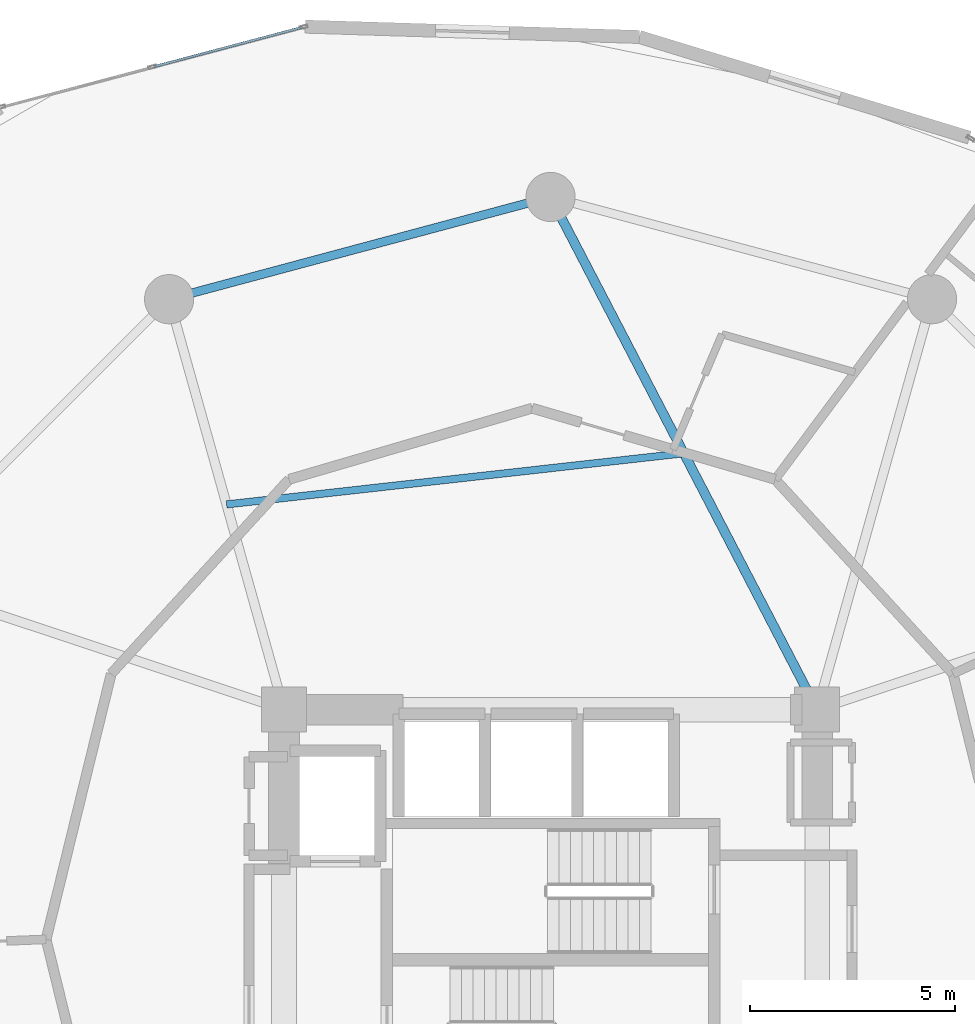
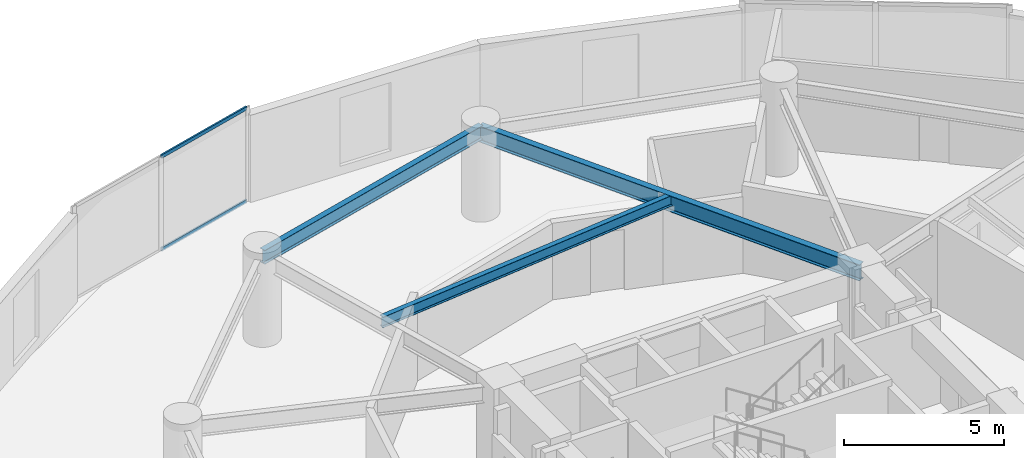
# One storey, part 14 of 24: 3 beams, 2 members, 1 element without a shape of its own.
"""IFC4 building model written with IfcOpenShell, lengths in metres."""

from ifc_helpers import new_model, si_unit, direction, frame, origin, origin_2d, place, context, subcontext, project, spatial, hollow_rectangle, i_section, extrude, source, transform, mapped, material, layer, layer_set, material_profile, profile_set, type_object, element, aggregate, save


model = new_model("IFC4")

# Units and contexts
model_context = context("Model", 3, precision=1e-05, world=origin(), true_north=direction((0.0, 1.0)))
body_context = subcontext(model_context, "Body", "Model", "MODEL_VIEW")
ifc_project = project(units=[si_unit("LENGTHUNIT", "METRE"), si_unit("AREAUNIT", "SQUARE_METRE"), si_unit("VOLUMEUNIT", "CUBIC_METRE"), si_unit("PLANEANGLEUNIT", "RADIAN"), si_unit("MASSUNIT", "GRAM", prefix="KILO")], contexts=[model_context])

# Site, building, storey
site_placement = place(None, origin())
site = spatial("IfcSite", under=ifc_project, at=site_placement, CompositionType="ELEMENT")
building_placement = place(site_placement, origin())
building = spatial("IfcBuilding", under=site, at=building_placement, Name="Solvirekh Grand Hotel", CompositionType="ELEMENT")
storey_placement = place(building_placement, frame((0.0, 0.0, 86.0)))
storey = spatial("IfcBuildingStorey", under=building, at=storey_placement, Name="L21", CompositionType="ELEMENT", Elevation=86.0)

# Beams
ifc_material_1 = material(Name="Steel S355", Category="steel")
ifc_material_profile_1 = material_profile(ifc_material_1, i_section(OverallWidth=0.22802734375, OverallDepth=0.616943359375, WebThickness=0.012939453125, FlangeThickness=0.02001953125, FilletRadius=0.014892578125, at=origin_2d()), Name="W610X140")
ifc_profile_set_1 = profile_set([ifc_material_profile_1], Name="Steel S355")
beam_type_1 = type_object("IfcBeamType", Name="Beam_Radial_W610", PredefinedType="BEAM", material=ifc_profile_set_1)
beam_1_placement = place(storey_placement, frame((6.5, 6.10009765625, 3.031982421875), z_axis=(-0.461352736642, 0.887216801235, 0.0), x_axis=(-0.887216801235, -0.461352736642, 0.0)))
element("IfcBeam", 1, at=beam_1_placement, inside=storey, type_object=beam_type_1, Name="L21 radial floor beam R04", PredefinedType="BEAM", context=body_context, shape_type="SweptSolid", body=[
    extrude(i_section(OverallWidth=0.22802734375, OverallDepth=0.616943359375, WebThickness=0.012939453125, FlangeThickness=0.02001953125, FilletRadius=0.014892578125, at=origin_2d()), origin(), (0.0, 0.0, 1.0), 14.089111328125),
])
ifc_material_profile_2 = material_profile(ifc_material_1, i_section(OverallWidth=0.177978515625, OverallDepth=0.406982421875, WebThickness=0.008056640625, FlangeThickness=0.011962890625, FilletRadius=0.011962890625, at=origin_2d()), Name="W410X60")
ifc_profile_set_2 = profile_set([ifc_material_profile_2], Name="Steel S355")
beam_type_2 = type_object("IfcBeamType", Name="Joist_Floor_W410", PredefinedType="JOIST", material=ifc_profile_set_2)
beam_2_placement = place(storey_placement, frame((3.25, 12.35009765625, 3.135986328125), z_axis=(-0.99381294191, -0.111066810937, 0.0), x_axis=(0.111066810937, -0.99381294191, 0.0)))
element("IfcBeam", 2, at=beam_2_placement, inside=storey, type_object=beam_type_2, Name="L21 secondary composite floor joist 4", PredefinedType="JOIST", context=body_context, shape_type="SweptSolid", body=[
    extrude(i_section(OverallWidth=0.177978515625, OverallDepth=0.406982421875, WebThickness=0.008056640625, FlangeThickness=0.011962890625, FilletRadius=0.011962890625, at=origin_2d()), origin(), (0.0, 0.0, 1.0), 11.21923828125),
])
ifc_material_profile_3 = material_profile(ifc_material_1, i_section(OverallWidth=0.208984375, OverallDepth=0.532958984375, WebThickness=0.010009765625, FlangeThickness=0.014892578125, FilletRadius=0.013916015625, at=origin_2d()), Name="W530X92")
ifc_profile_set_3 = profile_set([ifc_material_profile_3], Name="Steel S355")
beam_type_3 = type_object("IfcBeamType", Name="Spandrel_Ring_W530", PredefinedType="SPANDREL", material=ifc_profile_set_3)
beam_3_placement = place(storey_placement, frame((0.0, 18.60009765625, 3.073974609375), z_axis=(-0.965919414426, -0.258842973314, 0.0), x_axis=(0.258842973314, -0.965919414426, 0.0)))
element("IfcBeam", 3, at=beam_3_placement, inside=storey, type_object=beam_type_3, Name="L21 perimeter spandrel beam 4", PredefinedType="SPANDREL", context=body_context, shape_type="SweptSolid", body=[
    extrude(i_section(OverallWidth=0.208984375, OverallDepth=0.532958984375, WebThickness=0.010009765625, FlangeThickness=0.014892578125, FilletRadius=0.013916015625, at=origin_2d()), origin(), (0.0, 0.0, 1.0), 9.628173828125),
])

# Curtain wall, members
ifc_material_2 = material(Name="Anodized Bronze Aluminium 6063-T6", Category="aluminium")
ifc_layer = layer(ifc_material_2, 0.18994140625)
ifc_layer_set = layer_set([ifc_layer], Name="Anodized Bronze Aluminium 6063-T6")
curtain_wall_type = type_object("IfcCurtainWallType", Name="CW_Sys2_LowZoneFlushBronzeCW", PredefinedType="NOTDEFINED", material=ifc_layer_set)
curtain_wall_placement = place(storey_placement, origin())
curtain_wall = element("IfcCurtainWall", 4, at=curtain_wall_placement, inside=storey, type_object=curtain_wall_type, Name="L21 unitised bronze-glass curtain wall CW-L21-C08", PredefinedType="NOTDEFINED")
ifc_material_profile_4 = material_profile(ifc_material_2, hollow_rectangle(XDim=0.06005859375, YDim=0.135009765625, WallThickness=0.00390625, at=origin_2d()), Name="ALU RHS 135X60X4")
ifc_profile_set_4 = profile_set([ifc_material_profile_4], Name="Anodized Bronze Aluminium 6063-T6")
member_type = type_object("IfcMemberType", Name="CWTransom_Sys2", PredefinedType="USERDEFINED", material=ifc_profile_set_4)
shared_shape = source(origin(), body_context, "Body", "SweptSolid", [
    extrude(hollow_rectangle(XDim=0.06005859375, YDim=0.135009765625, WallThickness=0.00390625, at=origin_2d()), origin(), (0.0, 0.0, 1.0), 3.747802734375),
])
member_1_placement = place(storey_placement, frame((-6.049560546875, 22.737060546875, 0.030029296875), z_axis=(-0.96658758462, -0.256336578075, 0.0), x_axis=(0.256336578075, -0.96658758462, 0.0)))
member_1 = element("IfcMember", 5, at=member_1_placement, type_object=member_type, Name="U02 transom 1.1", ObjectType="TRANSOM", PredefinedType="USERDEFINED", context=body_context, shape_type="MappedRepresentation", body=[
    mapped(shared_shape, transform((0.0, 0.0, 0.0), x_axis=(1.0, 0.0, 0.0), y_axis=(0.0, 1.0, 0.0), z_axis=(0.0, 0.0, 1.0), scale=1.0)),
])
member_2_placement = place(storey_placement, frame((-6.049560546875, 22.737060546875, 3.570068359375), z_axis=(-0.96658758462, -0.256336578075, 0.0), x_axis=(0.256336578075, -0.96658758462, 0.0)))
member_2 = element("IfcMember", 6, at=member_2_placement, type_object=member_type, Name="U02 transom 1.2", ObjectType="TRANSOM", PredefinedType="USERDEFINED", context=body_context, shape_type="MappedRepresentation", body=[
    mapped(shared_shape, transform((0.0, 0.0, 0.0), x_axis=(1.0, 0.0, 0.0), y_axis=(0.0, 1.0, 0.0), z_axis=(0.0, 0.0, 1.0), scale=1.0)),
])
aggregate(curtain_wall, [member_1, member_2])

save(model, "model.ifc")
